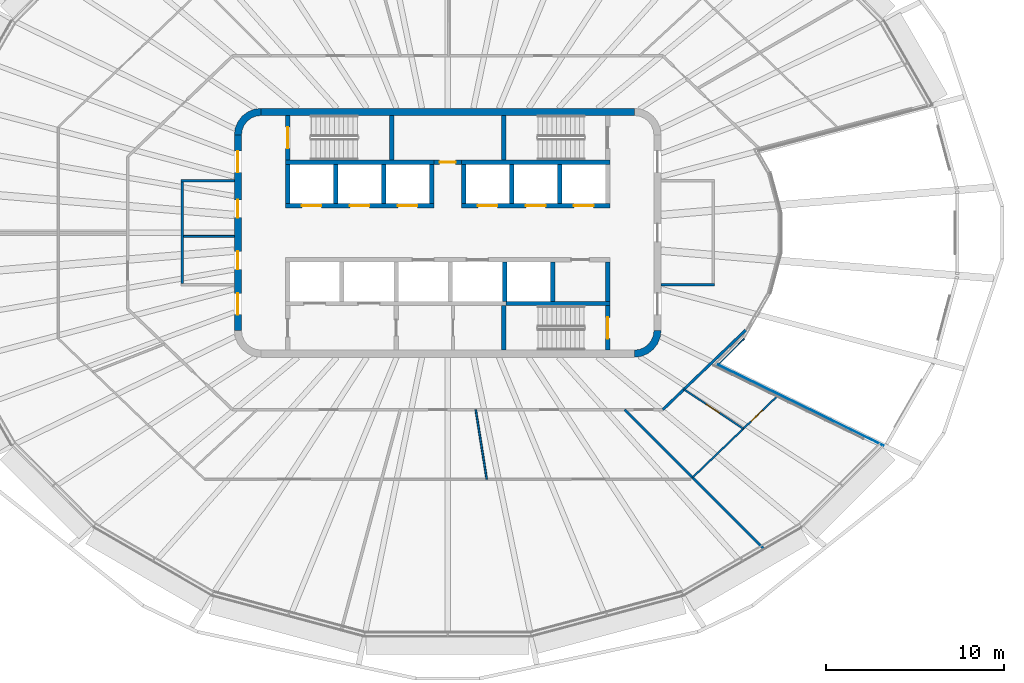
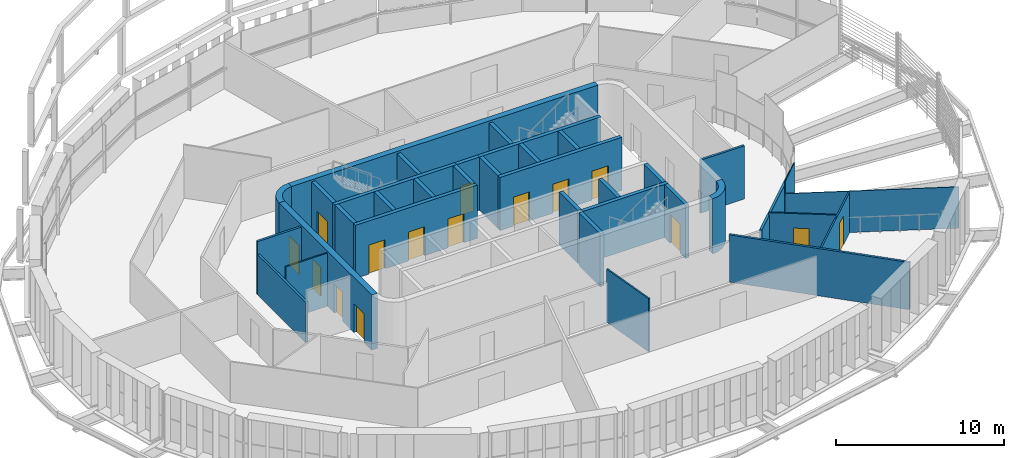
# One storey, part 10 of 19: 36 walls, 15 doors, 15 openings.
"""IFC4 building model written with IfcOpenShell, lengths in metres."""

from ifc_helpers import new_model, si_unit, direction, frame, frame_2d, origin, place, context, subcontext, project, spatial, polyline, rectangle, outline, extrude, material, layer, layer_set, type_object, element, fill, save


model = new_model("IFC4")

# Units and contexts
model_context = context("Model", 3, precision=1e-05, world=origin(), true_north=direction((0.0, 1.0)))
body_context = subcontext(model_context, "Body", "Model", "MODEL_VIEW")
ifc_project = project(units=[si_unit("LENGTHUNIT", "METRE"), si_unit("AREAUNIT", "SQUARE_METRE"), si_unit("VOLUMEUNIT", "CUBIC_METRE"), si_unit("PLANEANGLEUNIT", "RADIAN"), si_unit("MASSUNIT", "GRAM", prefix="KILO")], contexts=[model_context])

# Site, building, storey
site_placement = place(None, origin())
site = spatial("IfcSite", under=ifc_project, at=site_placement, CompositionType="ELEMENT")
building_placement = place(site_placement, origin())
building = spatial("IfcBuilding", under=site, at=building_placement, Name="Sahrelin Media Tower", CompositionType="ELEMENT")
storey_placement = place(building_placement, frame((0.0, 0.0, 287.0)))
storey = spatial("IfcBuildingStorey", under=building, at=storey_placement, Name="L63", CompositionType="ELEMENT", Elevation=287.0)

# Wall
ifc_material_1 = material(Name="Concrete C60/75", Category="concrete")
ifc_layer_1 = layer(ifc_material_1, 0.39990234375)
ifc_layer_set_1 = layer_set([ifc_layer_1], Name="Core wall 400")
wall_type_1 = type_object("IfcWallType", Name="Core wall 400", PredefinedType="SHEAR", material=ifc_layer_set_1)
wall_1_placement = place(storey_placement, frame((-10.5, 6.800048828125, 0.0), z_axis=(0.0, 0.0, 1.0), x_axis=(1.0, 0.0, 0.0)))
element("IfcWall", 1, at=wall_1_placement, inside=storey, type_object=wall_type_1, Name="Core wall N L63", PredefinedType="SHEAR", context=body_context, shape_type="SweptSolid", body=[
    extrude(rectangle(XDim=21.0, YDim=0.39990234375, at=frame_2d((10.5, 0.0))), origin(), (0.0, 0.0, 1.0), 4.0),
])

# Wall, openings, doors
wall_2_placement = place(storey_placement, frame((-11.800048828125, -5.5, 0.0), z_axis=(0.0, 0.0, 1.0), x_axis=(0.0, 1.0, 0.0)))
wall_2 = element("IfcWall", 2, at=wall_2_placement, inside=storey, type_object=wall_type_1, Name="Core wall W L63", PredefinedType="SHEAR", context=body_context, shape_type="SweptSolid", body=[
    extrude(rectangle(XDim=11.0, YDim=0.39990234375, at=frame_2d((5.5, 0.0))), origin(), (0.0, 0.0, 1.0), 4.0),
])
opening_1_placement = place(wall_2_placement, frame((3.449951171875, 0.0, 0.0)))
opening_1 = element("IfcOpeningElement", 3, at=opening_1_placement, cuts=wall_2, Name="Opening L63-D09", PredefinedType="OPENING", context=body_context, shape_type="SweptSolid", body=[
    extrude(rectangle(XDim=1.0, YDim=2.10009765625, at=frame_2d((0.5, 1.050048828125))), frame((0.0, 0.199951171875, 0.0), z_axis=(0.0, -1.0, 0.0), x_axis=(1.0, 0.0, 0.0)), (0.0, 0.0, 1.0), 0.39990234375),
])
opening_2_placement = place(wall_2_placement, frame((6.35009765625, 0.0, 0.0)))
opening_2 = element("IfcOpeningElement", 4, at=opening_2_placement, cuts=wall_2, Name="Opening L63-D10", PredefinedType="OPENING", context=body_context, shape_type="SweptSolid", body=[
    extrude(rectangle(XDim=1.0, YDim=2.10009765625, at=frame_2d((0.5, 1.050048828125))), frame((0.0, 0.199951171875, 0.0), z_axis=(0.0, -1.0, 0.0), x_axis=(1.0, 0.0, 0.0)), (0.0, 0.0, 1.0), 0.39990234375),
])
opening_3_placement = place(wall_2_placement, frame((0.89990234375, 0.0, 0.0)))
opening_3 = element("IfcOpeningElement", 5, at=opening_3_placement, cuts=wall_2, Name="Opening L63-D12", PredefinedType="OPENING", context=body_context, shape_type="SweptSolid", body=[
    extrude(rectangle(XDim=1.199951171875, YDim=2.10009765625, at=frame_2d((0.60009765625, 1.050048828125))), frame((0.0, 0.199951171875, 0.0), z_axis=(0.0, -1.0, 0.0), x_axis=(1.0, 0.0, 0.0)), (0.0, 0.0, 1.0), 0.39990234375),
])
opening_4_placement = place(wall_2_placement, frame((8.89990234375, 0.0, 0.0)))
opening_4 = element("IfcOpeningElement", 6, at=opening_4_placement, cuts=wall_2, Name="Opening L63-D13", PredefinedType="OPENING", context=body_context, shape_type="SweptSolid", body=[
    extrude(rectangle(XDim=1.199951171875, YDim=2.10009765625, at=frame_2d((0.60009765625, 1.050048828125))), frame((0.0, 0.199951171875, 0.0), z_axis=(0.0, -1.0, 0.0), x_axis=(1.0, 0.0, 0.0)), (0.0, 0.0, 1.0), 0.39990234375),
])
ifc_material_2 = material(Name="Steel fire door leaf", Category="steel")
door_type_1 = type_object("IfcDoorType", Name="Fire door 1000 x 2100 EI 60", OperationType="NOTDEFINED", PredefinedType="DOOR", material=ifc_material_2)
door_1_placement = place(opening_1_placement, origin())
door_1 = element("IfcDoor", 7, at=door_1_placement, inside=storey, type_object=door_type_1, Name="Core room door", OperationType="SINGLE_SWING_RIGHT", OverallHeight=2.10009765625, OverallWidth=1.0, PredefinedType="DOOR", context=body_context, shape_type="SweptSolid", body=[
    extrude(rectangle(XDim=1.0, YDim=2.10009765625, at=frame_2d((0.5, 1.050048828125))), frame((0.0, 0.02490234375, 0.0), z_axis=(0.0, -1.0, 0.0), x_axis=(1.0, 0.0, 0.0)), (0.0, 0.0, 1.0), 0.050048828125),
])
fill(opening_1, door_1)
door_2_placement = place(opening_2_placement, origin())
door_2 = element("IfcDoor", 8, at=door_2_placement, inside=storey, type_object=door_type_1, Name="Core room door", OperationType="SINGLE_SWING_RIGHT", OverallHeight=2.10009765625, OverallWidth=1.0, PredefinedType="DOOR", context=body_context, shape_type="SweptSolid", body=[
    extrude(rectangle(XDim=1.0, YDim=2.10009765625, at=frame_2d((0.5, 1.050048828125))), frame((0.0, 0.02490234375, 0.0), z_axis=(0.0, -1.0, 0.0), x_axis=(1.0, 0.0, 0.0)), (0.0, 0.0, 1.0), 0.050048828125),
])
fill(opening_2, door_2)
door_type_2 = type_object("IfcDoorType", Name="Lobby door 1200 x 2100 EI 60", OperationType="NOTDEFINED", PredefinedType="DOOR", material=ifc_material_2)
door_3_placement = place(opening_3_placement, origin())
door_3 = element("IfcDoor", 9, at=door_3_placement, inside=storey, type_object=door_type_2, Name="Lobby door", OperationType="SINGLE_SWING_LEFT", OverallHeight=2.10009765625, OverallWidth=1.199951171875, PredefinedType="DOOR", context=body_context, shape_type="SweptSolid", body=[
    extrude(rectangle(XDim=1.199951171875, YDim=2.10009765625, at=frame_2d((0.60009765625, 1.050048828125))), frame((0.0, 0.02490234375, 0.0), z_axis=(0.0, -1.0, 0.0), x_axis=(1.0, 0.0, 0.0)), (0.0, 0.0, 1.0), 0.050048828125),
])
fill(opening_3, door_3)
door_4_placement = place(opening_4_placement, origin())
door_4 = element("IfcDoor", 10, at=door_4_placement, inside=storey, type_object=door_type_2, Name="Lobby door", OperationType="SINGLE_SWING_LEFT", OverallHeight=2.10009765625, OverallWidth=1.199951171875, PredefinedType="DOOR", context=body_context, shape_type="SweptSolid", body=[
    extrude(rectangle(XDim=1.199951171875, YDim=2.10009765625, at=frame_2d((0.60009765625, 1.050048828125))), frame((0.0, 0.02490234375, 0.0), z_axis=(0.0, -1.0, 0.0), x_axis=(1.0, 0.0, 0.0)), (0.0, 0.0, 1.0), 0.050048828125),
])
fill(opening_4, door_4)

# Walls
placement = place(storey_placement, origin())
element("IfcWall", 11, at=placement, inside=storey, type_object=wall_type_1, Name="Core wall corner NW L63", PredefinedType="SHEAR", context=body_context, shape_type="SweptSolid", body=[
    extrude(outline(polyline([(-12.0, 5.5), (-11.596435546875, 5.5), (-11.55908203125, 5.78369140625), (-11.44970703125, 6.04833984375), (-11.275390625, 6.275390625), (-11.04833984375, 6.44970703125), (-10.78369140625, 6.55908203125), (-10.5, 6.596435546875), (-10.5, 7.0), (-10.88818359375, 6.948974609375), (-11.25, 6.799072265625), (-11.560791015625, 6.560791015625), (-11.799072265625, 6.25), (-11.948974609375, 5.88818359375), (-12.0, 5.5)])), origin(), (0.0, 0.0, 1.0), 4.0),
])
element("IfcWall", 12, at=placement, inside=storey, type_object=wall_type_1, Name="Core wall corner SE L63", PredefinedType="SHEAR", context=body_context, shape_type="SweptSolid", body=[
    extrude(outline(polyline([(12.0, -5.5), (11.596435546875, -5.5), (11.55908203125, -5.78369140625), (11.44970703125, -6.04833984375), (11.275390625, -6.275390625), (11.04833984375, -6.44970703125), (10.78369140625, -6.55908203125), (10.5, -6.596435546875), (10.5, -7.0), (10.88818359375, -6.948974609375), (11.25, -6.799072265625), (11.560791015625, -6.560791015625), (11.799072265625, -6.25), (11.948974609375, -5.88818359375), (12.0, -5.5)])), origin(), (0.0, 0.0, 1.0), 4.0),
])

# Wall, opening, door
ifc_material_3 = material(Name="Fire-rated gypsum board partition")
ifc_layer_2 = layer(ifc_material_3, 0.25)
ifc_layer_set_2 = layer_set([ifc_layer_2], Name="Fire-rated lobby wall 250")
wall_type_2 = type_object("IfcWallType", Name="Fire-rated lobby wall 250", PredefinedType="PARTITIONING", material=ifc_layer_set_2)
wall_5_placement = place(storey_placement, frame((-0.77490234375, 3.97509765625, 0.0), z_axis=(0.0, 0.0, 1.0), x_axis=(1.0, 0.0, 0.0)))
wall_5 = element("IfcWall", 13, at=wall_5_placement, inside=storey, type_object=wall_type_2, Name="Core lobby wall", PredefinedType="PARTITIONING", context=body_context, shape_type="SweptSolid", body=[
    extrude(rectangle(XDim=1.5498046875, YDim=0.25, at=frame_2d((0.77490234375, 0.0))), origin(), (0.0, 0.0, 1.0), 3.85009765625),
])
opening_5_placement = place(wall_5_placement, frame((0.324951171875, 0.0, 0.0)))
opening_5 = element("IfcOpeningElement", 14, at=opening_5_placement, cuts=wall_5, Name="Opening L63-D06", PredefinedType="OPENING", context=body_context, shape_type="SweptSolid", body=[
    extrude(rectangle(XDim=0.89990234375, YDim=2.10009765625, at=frame_2d((0.449951171875, 1.050048828125))), frame((0.0, 0.125, 0.0), z_axis=(0.0, -1.0, 0.0), x_axis=(1.0, 0.0, 0.0)), (0.0, 0.0, 1.0), 0.25),
])
door_type_3 = type_object("IfcDoorType", Name="Riser door 900 x 2100 EI 120", OperationType="NOTDEFINED", PredefinedType="DOOR", material=ifc_material_2)
door_5_placement = place(opening_5_placement, origin())
door_5 = element("IfcDoor", 15, at=door_5_placement, inside=storey, type_object=door_type_3, Name="Core room door", OperationType="SINGLE_SWING_LEFT", OverallHeight=2.10009765625, OverallWidth=0.89990234375, PredefinedType="DOOR", context=body_context, shape_type="SweptSolid", body=[
    extrude(rectangle(XDim=0.89990234375, YDim=2.10009765625, at=frame_2d((0.449951171875, 1.050048828125))), frame((0.0, 0.02490234375, 0.0), z_axis=(0.0, -1.0, 0.0), x_axis=(1.0, 0.0, 0.0)), (0.0, 0.0, 1.0), 0.050048828125),
])
fill(opening_5, door_5)

# Walls
ifc_layer_3 = layer(ifc_material_3, 0.10009765625)
ifc_layer_set_3 = layer_set([ifc_layer_3], Name="Fire-rated partition 100")
wall_type_3 = type_object("IfcWallType", Name="Fire-rated partition 100", PredefinedType="PARTITIONING", material=ifc_layer_set_3)
wall_6_placement = place(storey_placement, frame((-14.85009765625, -0.199951171875, 0.0), z_axis=(0.0, 0.0, 1.0), x_axis=(1.0, 0.0, 0.0)))
element("IfcWall", 16, at=wall_6_placement, inside=storey, type_object=wall_type_3, Name="Core room partition", PredefinedType="PARTITIONING", context=body_context, shape_type="SweptSolid", body=[
    extrude(rectangle(XDim=2.85009765625, YDim=0.10009765625, at=frame_2d((1.425048828125, 0.0))), origin(), (0.0, 0.0, 1.0), 3.85009765625),
])
ifc_layer_4 = layer(ifc_material_3, 0.14990234375)
ifc_layer_set_4 = layer_set([ifc_layer_4], Name="Fire-rated partition 150")
wall_type_4 = type_object("IfcWallType", Name="Fire-rated partition 150", PredefinedType="PARTITIONING", material=ifc_layer_set_4)
wall_7_placement = place(storey_placement, frame((-14.925048828125, -2.85009765625, 0.0), z_axis=(0.0, 0.0, 1.0), x_axis=(0.0, 1.0, 0.0)))
element("IfcWall", 17, at=wall_7_placement, inside=storey, type_object=wall_type_4, Name="Core room fire partition", PredefinedType="PARTITIONING", context=body_context, shape_type="SweptSolid", body=[
    extrude(rectangle(XDim=5.7001953125, YDim=0.14990234375, at=frame_2d((2.85009765625, 0.0))), origin(), (0.0, 0.0, 1.0), 2.918212890625),
])
for number, where, z_axis, x_axis, name in (
    (18, (-15.0, 2.925048828125, 0.0), (0.0, 0.0, 1.0), (1.0, 0.0, 0.0), "Core room fire partition"),
    (19, (12.0, -2.925048828125, 0.0), (0.0, 0.0, 1.0), (1.0, 0.0, 0.0), "Core room fire partition"),
):
    element("IfcWall", number, at=place(storey_placement, frame(where, z_axis=z_axis, x_axis=x_axis)), inside=storey, type_object=wall_type_4, Name=name, PredefinedType="PARTITIONING", context=body_context, shape_type="SweptSolid", body=[
        extrude(rectangle(XDim=3.0, YDim=0.14990234375, at=frame_2d((1.5, 0.0))), origin(), (0.0, 0.0, 1.0), 3.85009765625),
    ])
wall_8_placement = place(storey_placement, frame((9.948974609375, -9.948974609375, 0.0), z_axis=(0.0, 0.0, 1.0), x_axis=(0.707106781187, -0.707106781187, 0.0)))
element("IfcWall", 20, at=wall_8_placement, inside=storey, type_object=wall_type_4, Name="Wall", PredefinedType="PARTITIONING", context=body_context, shape_type="SweptSolid", body=[
    extrude(rectangle(XDim=11.091796875, YDim=0.14990234375, at=frame_2d((5.5458984375, 0.0))), origin(), (0.0, 0.0, 1.0), 3.423583984375),
])
wall_9_placement = place(storey_placement, frame((12.094970703125, -9.948974609375, 0.0), z_axis=(0.0, 0.0, 1.0), x_axis=(0.721275760212, 0.692648018644, 0.0)))
element("IfcWall", 21, at=wall_9_placement, inside=storey, type_object=wall_type_4, Name="Wall", PredefinedType="PARTITIONING", context=body_context, shape_type="SweptSolid", body=[
    extrude(rectangle(XDim=6.472900390625, YDim=0.14990234375, at=frame_2d((3.236328125, 0.0))), origin(), (0.0, 0.0, 1.0), 2.9951171875),
])
ifc_material_4 = material(Name="Clear glass", Category="glass")
ifc_layer_5 = layer(ifc_material_4, 0.050048828125)
ifc_layer_set_5 = layer_set([ifc_layer_5], Name="Glazed partition 50")
wall_type_5 = type_object("IfcWallType", Name="Glazed partition 50", PredefinedType="PARTITIONING", material=ifc_layer_set_5)
wall_10_placement = place(storey_placement, frame((15.20703125, -7.426025390625, 0.0), z_axis=(0.0, 0.0, 1.0), x_axis=(0.898599920473, -0.438768940247, 0.0)))
element("IfcWall", 22, at=wall_10_placement, inside=storey, type_object=wall_type_5, Name="Wall", PredefinedType="PARTITIONING", context=body_context, shape_type="SweptSolid", body=[
    extrude(rectangle(XDim=10.36279296875, YDim=0.050048828125, at=frame_2d((5.181396484375, 0.0))), origin(), (0.0, 0.0, 1.0), 2.9951171875),
])
wall_11_placement = place(storey_placement, frame((15.20703125, -7.426025390625, 0.0), z_axis=(0.0, 0.0, 1.0), x_axis=(0.707106781187, 0.707106781187, 0.0)))
element("IfcWall", 23, at=wall_11_placement, inside=storey, type_object=wall_type_5, Name="Wall", PredefinedType="PARTITIONING", context=body_context, shape_type="SweptSolid", body=[
    extrude(rectangle(XDim=2.078857421875, YDim=0.050048828125, at=frame_2d((1.03955078125, 0.0))), origin(), (0.0, 0.0, 1.0), 3.85009765625),
])

# Wall, openings, doors
ifc_layer_6 = layer(ifc_material_1, 0.25)
ifc_layer_set_6 = layer_set([ifc_layer_6], Name="Lift shaft wall 250")
wall_type_6 = type_object("IfcWallType", Name="Lift shaft wall 250", PredefinedType="SOLIDWALL", material=ifc_layer_set_6)
wall_12_placement = place(storey_placement, frame((-9.125, 1.52490234375, 0.0), z_axis=(0.0, 0.0, 1.0), x_axis=(1.0, 0.0, 0.0)))
wall_12 = element("IfcWall", 24, at=wall_12_placement, inside=storey, type_object=wall_type_6, Name="Lift shaft wall", PredefinedType="SOLIDWALL", context=body_context, shape_type="SweptSolid", body=[
    extrude(rectangle(XDim=8.35009765625, YDim=0.25, at=frame_2d((4.175048828125, 0.0))), origin(), (0.0, 0.0, 1.0), 3.85009765625),
])
opening_6_placement = place(wall_12_placement, frame((0.925048828125, 0.0, 0.0)))
opening_6 = element("IfcOpeningElement", 25, at=opening_6_placement, cuts=wall_12, Name="Opening L63-LD-HR1", PredefinedType="OPENING", context=body_context, shape_type="SweptSolid", body=[
    extrude(rectangle(XDim=1.10009765625, YDim=2.10009765625, at=frame_2d((0.550048828125, 1.050048828125))), frame((0.0, 0.125, 0.0), z_axis=(0.0, -1.0, 0.0), x_axis=(1.0, 0.0, 0.0)), (0.0, 0.0, 1.0), 0.25),
])
opening_7_placement = place(wall_12_placement, frame((3.625, 0.0, 0.0)))
opening_7 = element("IfcOpeningElement", 26, at=opening_7_placement, cuts=wall_12, Name="Opening L63-LD-HR2", PredefinedType="OPENING", context=body_context, shape_type="SweptSolid", body=[
    extrude(rectangle(XDim=1.10009765625, YDim=2.10009765625, at=frame_2d((0.550048828125, 1.050048828125))), frame((0.0, 0.125, 0.0), z_axis=(0.0, -1.0, 0.0), x_axis=(1.0, 0.0, 0.0)), (0.0, 0.0, 1.0), 0.25),
])
opening_8_placement = place(wall_12_placement, frame((6.324951171875, 0.0, 0.0)))
opening_8 = element("IfcOpeningElement", 27, at=opening_8_placement, cuts=wall_12, Name="Opening L63-LD-HR3", PredefinedType="OPENING", context=body_context, shape_type="SweptSolid", body=[
    extrude(rectangle(XDim=1.10009765625, YDim=2.10009765625, at=frame_2d((0.550048828125, 1.050048828125))), frame((0.0, 0.125, 0.0), z_axis=(0.0, -1.0, 0.0), x_axis=(1.0, 0.0, 0.0)), (0.0, 0.0, 1.0), 0.25),
])
ifc_material_5 = material(Name="Stainless steel", Category="steel")
door_type_4 = type_object("IfcDoorType", Name="Lift landing door 1100 x 2100 EI 120", OperationType="DOUBLE_DOOR_SLIDING", PredefinedType="DOOR", material=ifc_material_5)
door_6_placement = place(opening_6_placement, origin())
door_6 = element("IfcDoor", 28, at=door_6_placement, inside=storey, type_object=door_type_4, Name="Lift landing door HR1", OperationType="DOUBLE_DOOR_SLIDING", OverallHeight=2.10009765625, OverallWidth=1.10009765625, PredefinedType="DOOR", context=body_context, shape_type="SweptSolid", body=[
    extrude(rectangle(XDim=1.10009765625, YDim=2.10009765625, at=frame_2d((0.550048828125, 1.050048828125))), frame((0.0, 0.02490234375, 0.0), z_axis=(0.0, -1.0, 0.0), x_axis=(1.0, 0.0, 0.0)), (0.0, 0.0, 1.0), 0.050048828125),
])
fill(opening_6, door_6)
door_7_placement = place(opening_7_placement, origin())
door_7 = element("IfcDoor", 29, at=door_7_placement, inside=storey, type_object=door_type_4, Name="Lift landing door HR2", OperationType="DOUBLE_DOOR_SLIDING", OverallHeight=2.10009765625, OverallWidth=1.10009765625, PredefinedType="DOOR", context=body_context, shape_type="SweptSolid", body=[
    extrude(rectangle(XDim=1.10009765625, YDim=2.10009765625, at=frame_2d((0.550048828125, 1.050048828125))), frame((0.0, 0.02490234375, 0.0), z_axis=(0.0, -1.0, 0.0), x_axis=(1.0, 0.0, 0.0)), (0.0, 0.0, 1.0), 0.050048828125),
])
fill(opening_7, door_7)
door_8_placement = place(opening_8_placement, origin())
door_8 = element("IfcDoor", 30, at=door_8_placement, inside=storey, type_object=door_type_4, Name="Lift landing door HR3", OperationType="DOUBLE_DOOR_SLIDING", OverallHeight=2.10009765625, OverallWidth=1.10009765625, PredefinedType="DOOR", context=body_context, shape_type="SweptSolid", body=[
    extrude(rectangle(XDim=1.10009765625, YDim=2.10009765625, at=frame_2d((0.550048828125, 1.050048828125))), frame((0.0, 0.02490234375, 0.0), z_axis=(0.0, -1.0, 0.0), x_axis=(1.0, 0.0, 0.0)), (0.0, 0.0, 1.0), 0.050048828125),
])
fill(opening_8, door_8)

wall_13_placement = place(storey_placement, frame((0.77490234375, 1.52490234375, 0.0), z_axis=(0.0, 0.0, 1.0), x_axis=(1.0, 0.0, 0.0)))
wall_13 = element("IfcWall", 31, at=wall_13_placement, inside=storey, type_object=wall_type_6, Name="Lift shaft wall", PredefinedType="SOLIDWALL", context=body_context, shape_type="SweptSolid", body=[
    extrude(rectangle(XDim=8.35009765625, YDim=0.25, at=frame_2d((4.175048828125, 0.0))), origin(), (0.0, 0.0, 1.0), 3.85009765625),
])
opening_9_placement = place(wall_13_placement, frame((0.925048828125, 0.0, 0.0)))
opening_9 = element("IfcOpeningElement", 32, at=opening_9_placement, cuts=wall_13, Name="Opening L63-LD-HR4", PredefinedType="OPENING", context=body_context, shape_type="SweptSolid", body=[
    extrude(rectangle(XDim=1.10009765625, YDim=2.10009765625, at=frame_2d((0.550048828125, 1.050048828125))), frame((0.0, 0.125, 0.0), z_axis=(0.0, -1.0, 0.0), x_axis=(1.0, 0.0, 0.0)), (0.0, 0.0, 1.0), 0.25),
])
opening_10_placement = place(wall_13_placement, frame((3.625, 0.0, 0.0)))
opening_10 = element("IfcOpeningElement", 33, at=opening_10_placement, cuts=wall_13, Name="Opening L63-LD-HR5", PredefinedType="OPENING", context=body_context, shape_type="SweptSolid", body=[
    extrude(rectangle(XDim=1.10009765625, YDim=2.10009765625, at=frame_2d((0.550048828125, 1.050048828125))), frame((0.0, 0.125, 0.0), z_axis=(0.0, -1.0, 0.0), x_axis=(1.0, 0.0, 0.0)), (0.0, 0.0, 1.0), 0.25),
])
opening_11_placement = place(wall_13_placement, frame((6.324951171875, 0.0, 0.0)))
opening_11 = element("IfcOpeningElement", 34, at=opening_11_placement, cuts=wall_13, Name="Opening L63-LD-HR6", PredefinedType="OPENING", context=body_context, shape_type="SweptSolid", body=[
    extrude(rectangle(XDim=1.10009765625, YDim=2.10009765625, at=frame_2d((0.550048828125, 1.050048828125))), frame((0.0, 0.125, 0.0), z_axis=(0.0, -1.0, 0.0), x_axis=(1.0, 0.0, 0.0)), (0.0, 0.0, 1.0), 0.25),
])
door_9_placement = place(opening_9_placement, origin())
door_9 = element("IfcDoor", 35, at=door_9_placement, inside=storey, type_object=door_type_4, Name="Lift landing door HR4", OperationType="DOUBLE_DOOR_SLIDING", OverallHeight=2.10009765625, OverallWidth=1.10009765625, PredefinedType="DOOR", context=body_context, shape_type="SweptSolid", body=[
    extrude(rectangle(XDim=1.10009765625, YDim=2.10009765625, at=frame_2d((0.550048828125, 1.050048828125))), frame((0.0, 0.02490234375, 0.0), z_axis=(0.0, -1.0, 0.0), x_axis=(1.0, 0.0, 0.0)), (0.0, 0.0, 1.0), 0.050048828125),
])
fill(opening_9, door_9)
door_10_placement = place(opening_10_placement, origin())
door_10 = element("IfcDoor", 36, at=door_10_placement, inside=storey, type_object=door_type_4, Name="Lift landing door HR5", OperationType="DOUBLE_DOOR_SLIDING", OverallHeight=2.10009765625, OverallWidth=1.10009765625, PredefinedType="DOOR", context=body_context, shape_type="SweptSolid", body=[
    extrude(rectangle(XDim=1.10009765625, YDim=2.10009765625, at=frame_2d((0.550048828125, 1.050048828125))), frame((0.0, 0.02490234375, 0.0), z_axis=(0.0, -1.0, 0.0), x_axis=(1.0, 0.0, 0.0)), (0.0, 0.0, 1.0), 0.050048828125),
])
fill(opening_10, door_10)
door_11_placement = place(opening_11_placement, origin())
door_11 = element("IfcDoor", 37, at=door_11_placement, inside=storey, type_object=door_type_4, Name="Lift landing door HR6", OperationType="DOUBLE_DOOR_SLIDING", OverallHeight=2.10009765625, OverallWidth=1.10009765625, PredefinedType="DOOR", context=body_context, shape_type="SweptSolid", body=[
    extrude(rectangle(XDim=1.10009765625, YDim=2.10009765625, at=frame_2d((0.550048828125, 1.050048828125))), frame((0.0, 0.02490234375, 0.0), z_axis=(0.0, -1.0, 0.0), x_axis=(1.0, 0.0, 0.0)), (0.0, 0.0, 1.0), 0.050048828125),
])
fill(opening_11, door_11)

# Walls
for number, where, z_axis, x_axis, name in (
    (38, (-9.125, 3.97509765625, 0.0), (0.0, 0.0, 1.0), (1.0, 0.0, 0.0), "Lift shaft wall"),
    (39, (0.77490234375, 3.97509765625, 0.0), (0.0, 0.0, 1.0), (1.0, 0.0, 0.0), "Lift shaft wall"),
):
    element("IfcWall", number, at=place(storey_placement, frame(where, z_axis=z_axis, x_axis=x_axis)), inside=storey, type_object=wall_type_6, Name=name, PredefinedType="SOLIDWALL", context=body_context, shape_type="SweptSolid", body=[
        extrude(rectangle(XDim=8.35009765625, YDim=0.25, at=frame_2d((4.175048828125, 0.0))), origin(), (0.0, 0.0, 1.0), 3.85009765625),
    ])
for number, where, z_axis, x_axis, name in (
    (40, (-9.0, 1.64990234375, 0.0), (0.0, 0.0, 1.0), (0.0, 1.0, 0.0), "Lift shaft wall"),
    (41, (-6.300048828125, 1.64990234375, 0.0), (0.0, 0.0, 1.0), (0.0, 1.0, 0.0), "Lift shaft wall"),
    (42, (6.300048828125, 1.64990234375, 0.0), (0.0, 0.0, 1.0), (0.0, 1.0, 0.0), "Lift shaft wall"),
    (43, (-3.60009765625, 1.64990234375, 0.0), (0.0, 0.0, 1.0), (0.0, 1.0, 0.0), "Lift shaft wall"),
    (44, (3.60009765625, 1.64990234375, 0.0), (0.0, 0.0, 1.0), (0.0, 1.0, 0.0), "Lift shaft wall"),
    (45, (-0.89990234375, 1.64990234375, 0.0), (0.0, 0.0, 1.0), (0.0, 1.0, 0.0), "Lift shaft wall"),
    (46, (0.89990234375, 1.64990234375, 0.0), (0.0, 0.0, 1.0), (0.0, 1.0, 0.0), "Lift shaft wall"),
):
    element("IfcWall", number, at=place(storey_placement, frame(where, z_axis=z_axis, x_axis=x_axis)), inside=storey, type_object=wall_type_6, Name=name, PredefinedType="SOLIDWALL", context=body_context, shape_type="SweptSolid", body=[
        extrude(rectangle(XDim=2.2001953125, YDim=0.25, at=frame_2d((1.10009765625, 0.0))), origin(), (0.0, 0.0, 1.0), 3.85009765625),
    ])
wall_14_placement = place(storey_placement, frame((3.27490234375, -3.97509765625, 0.0), z_axis=(0.0, 0.0, 1.0), x_axis=(1.0, 0.0, 0.0)))
element("IfcWall", 47, at=wall_14_placement, inside=storey, type_object=wall_type_6, Name="Lift shaft wall", PredefinedType="SOLIDWALL", context=body_context, shape_type="SweptSolid", body=[
    extrude(rectangle(XDim=5.85009765625, YDim=0.25, at=frame_2d((2.925048828125, 0.0))), origin(), (0.0, 0.0, 1.0), 3.85009765625),
])
for number, where, z_axis, x_axis, name in (
    (48, (3.199951171875, -3.85009765625, 0.0), (0.0, 0.0, 1.0), (0.0, 1.0, 0.0), "Lift shaft wall"),
    (49, (5.89990234375, -3.85009765625, 0.0), (0.0, 0.0, 1.0), (0.0, 1.0, 0.0), "Lift shaft wall"),
    (50, (9.0, -3.85009765625, 0.0), (0.0, 0.0, 1.0), (0.0, 1.0, 0.0), "Lift shaft wall"),
):
    element("IfcWall", number, at=place(storey_placement, frame(where, z_axis=z_axis, x_axis=x_axis)), inside=storey, type_object=wall_type_6, Name=name, PredefinedType="SOLIDWALL", context=body_context, shape_type="SweptSolid", body=[
        extrude(rectangle(XDim=2.2001953125, YDim=0.25, at=frame_2d((1.10009765625, 0.0))), origin(), (0.0, 0.0, 1.0), 3.85009765625),
    ])
ifc_material_6 = material(Name="Gypsum board partition")
ifc_layer_7 = layer(ifc_material_6, 0.10009765625)
ifc_layer_set_7 = layer_set([ifc_layer_7], Name="Partition 100")
wall_type_7 = type_object("IfcWallType", Name="Partition 100", PredefinedType="PARTITIONING", material=ifc_layer_set_7)
wall_15_placement = place(storey_placement, frame((1.575927734375, -9.948974609375, 0.0), z_axis=(0.0, 0.0, 1.0), x_axis=(0.156402769976, -0.987693360079, 0.0)))
element("IfcWall", 51, at=wall_15_placement, inside=storey, type_object=wall_type_7, Name="Wall", PredefinedType="PARTITIONING", context=body_context, shape_type="SweptSolid", body=[
    extrude(rectangle(XDim=3.958740234375, YDim=0.10009765625, at=frame_2d((1.9794921875, 0.0))), origin(), (0.0, 0.0, 1.0), 3.85009765625),
])

# Wall, opening, door
wall_16_placement = place(storey_placement, frame((13.285888671875, -8.804931640625, 0.0), z_axis=(0.0, 0.0, 1.0), x_axis=(0.833425824466, -0.552631337434, 0.0)))
wall_16 = element("IfcWall", 52, at=wall_16_placement, inside=storey, type_object=wall_type_7, Name="Wall", PredefinedType="PARTITIONING", context=body_context, shape_type="SweptSolid", body=[
    extrude(rectangle(XDim=4.006591796875, YDim=0.10009765625, at=frame_2d((2.00341796875, 0.0))), origin(), (0.0, 0.0, 1.0), 3.152099609375),
])
opening_12_placement = place(wall_16_placement, frame((1.5029296875, 0.0, 0.0)))
opening_12 = element("IfcOpeningElement", 53, at=opening_12_placement, cuts=wall_16, Name="Opening L63-D19", PredefinedType="OPENING", context=body_context, shape_type="SweptSolid", body=[
    extrude(rectangle(XDim=0.89990234375, YDim=2.10009765625, at=frame_2d((0.449951171875, 1.050048828125))), frame((0.0, 0.050048828125, 0.0), z_axis=(0.0, -1.0, 0.0), x_axis=(1.0, 0.0, 0.0)), (0.0, 0.0, 1.0), 0.10009765625),
])
ifc_material_7 = material(Name="Timber door leaf", Category="wood")
door_type_5 = type_object("IfcDoorType", Name="Single door 900 x 2100", OperationType="NOTDEFINED", PredefinedType="DOOR", material=ifc_material_7)
door_12_placement = place(opening_12_placement, origin())
door_12 = element("IfcDoor", 54, at=door_12_placement, inside=storey, type_object=door_type_5, Name="Single door", OperationType="SINGLE_SWING_LEFT", OverallHeight=2.10009765625, OverallWidth=0.89990234375, PredefinedType="DOOR", context=body_context, shape_type="SweptSolid", body=[
    extrude(rectangle(XDim=0.89990234375, YDim=2.10009765625, at=frame_2d((0.449951171875, 1.050048828125))), frame((0.0, 0.02490234375, 0.0), z_axis=(0.0, -1.0, 0.0), x_axis=(1.0, 0.0, 0.0)), (0.0, 0.0, 1.0), 0.050048828125),
])
fill(opening_12, door_12)

wall_17_placement = place(storey_placement, frame((13.764892578125, -13.764892578125, 0.0), z_axis=(0.0, 0.0, 1.0), x_axis=(0.721426398833, 0.692491119847, 0.0)))
wall_17 = element("IfcWall", 55, at=wall_17_placement, inside=storey, type_object=wall_type_7, Name="Wall", PredefinedType="PARTITIONING", context=body_context, shape_type="SweptSolid", body=[
    extrude(rectangle(XDim=6.741455078125, YDim=0.10009765625, at=frame_2d((3.37060546875, 0.0))), origin(), (0.0, 0.0, 1.0), 2.927001953125),
])
opening_13_placement = place(wall_17_placement, frame((4.5634765625, 0.0, 0.0)))
opening_13 = element("IfcOpeningElement", 56, at=opening_13_placement, cuts=wall_17, Name="Opening L63-D20", PredefinedType="OPENING", context=body_context, shape_type="SweptSolid", body=[
    extrude(rectangle(XDim=0.89990234375, YDim=2.10009765625, at=frame_2d((0.449951171875, 1.050048828125))), frame((0.0, 0.050048828125, 0.0), z_axis=(0.0, -1.0, 0.0), x_axis=(1.0, 0.0, 0.0)), (0.0, 0.0, 1.0), 0.10009765625),
])
door_13_placement = place(opening_13_placement, origin())
door_13 = element("IfcDoor", 57, at=door_13_placement, inside=storey, type_object=door_type_5, Name="Single door", OperationType="SINGLE_SWING_LEFT", OverallHeight=2.10009765625, OverallWidth=0.89990234375, PredefinedType="DOOR", context=body_context, shape_type="SweptSolid", body=[
    extrude(rectangle(XDim=0.89990234375, YDim=2.10009765625, at=frame_2d((0.449951171875, 1.050048828125))), frame((0.0, 0.02490234375, 0.0), z_axis=(0.0, -1.0, 0.0), x_axis=(1.0, 0.0, 0.0)), (0.0, 0.0, 1.0), 0.050048828125),
])
fill(opening_13, door_13)

ifc_layer_8 = layer(ifc_material_1, 0.25)
ifc_layer_set_8 = layer_set([ifc_layer_8], Name="Stair enclosure wall 250")
wall_type_8 = type_object("IfcWallType", Name="Stair enclosure wall 250", PredefinedType="SOLIDWALL", material=ifc_layer_set_8)
wall_18_placement = place(storey_placement, frame((-9.0, 4.10009765625, 0.0), z_axis=(0.0, 0.0, 1.0), x_axis=(0.0, 1.0, 0.0)))
wall_18 = element("IfcWall", 58, at=wall_18_placement, inside=storey, type_object=wall_type_8, Name="Stair enclosure wall", PredefinedType="SOLIDWALL", context=body_context, shape_type="SweptSolid", body=[
    extrude(rectangle(XDim=2.5, YDim=0.25, at=frame_2d((1.25, 0.0))), origin(), (0.0, 0.0, 1.0), 3.85009765625),
])
opening_14_placement = place(wall_18_placement, frame((0.64990234375, 0.0, 0.0)))
opening_14 = element("IfcOpeningElement", 59, at=opening_14_placement, cuts=wall_18, Name="Opening L63-D01", PredefinedType="OPENING", context=body_context, shape_type="SweptSolid", body=[
    extrude(rectangle(XDim=1.199951171875, YDim=2.10009765625, at=frame_2d((0.60009765625, 1.050048828125))), frame((0.0, 0.125, 0.0), z_axis=(0.0, -1.0, 0.0), x_axis=(1.0, 0.0, 0.0)), (0.0, 0.0, 1.0), 0.25),
])
door_type_6 = type_object("IfcDoorType", Name="Stair door 1200 x 2100 EI 120", OperationType="NOTDEFINED", PredefinedType="DOOR", material=ifc_material_2)
door_14_placement = place(opening_14_placement, origin())
door_14 = element("IfcDoor", 60, at=door_14_placement, inside=storey, type_object=door_type_6, Name="Stair door ST1", OperationType="SINGLE_SWING_RIGHT", OverallHeight=2.10009765625, OverallWidth=1.199951171875, PredefinedType="DOOR", context=body_context, shape_type="SweptSolid", body=[
    extrude(rectangle(XDim=1.199951171875, YDim=2.10009765625, at=frame_2d((0.60009765625, 1.050048828125))), frame((0.0, 0.02490234375, 0.0), z_axis=(0.0, -1.0, 0.0), x_axis=(1.0, 0.0, 0.0)), (0.0, 0.0, 1.0), 0.050048828125),
])
fill(opening_14, door_14)

wall_19_placement = place(storey_placement, frame((9.0, -6.60009765625, 0.0), z_axis=(0.0, 0.0, 1.0), x_axis=(0.0, 1.0, 0.0)))
wall_19 = element("IfcWall", 61, at=wall_19_placement, inside=storey, type_object=wall_type_8, Name="Stair enclosure wall", PredefinedType="SOLIDWALL", context=body_context, shape_type="SweptSolid", body=[
    extrude(rectangle(XDim=2.5, YDim=0.25, at=frame_2d((1.25, 0.0))), origin(), (0.0, 0.0, 1.0), 3.85009765625),
])
opening_15_placement = place(wall_19_placement, frame((0.64990234375, 0.0, 0.0)))
opening_15 = element("IfcOpeningElement", 62, at=opening_15_placement, cuts=wall_19, Name="Opening L63-D03", PredefinedType="OPENING", context=body_context, shape_type="SweptSolid", body=[
    extrude(rectangle(XDim=1.199951171875, YDim=2.10009765625, at=frame_2d((0.60009765625, 1.050048828125))), frame((0.0, 0.125, 0.0), z_axis=(0.0, -1.0, 0.0), x_axis=(1.0, 0.0, 0.0)), (0.0, 0.0, 1.0), 0.25),
])
door_15_placement = place(opening_15_placement, origin())
door_15 = element("IfcDoor", 63, at=door_15_placement, inside=storey, type_object=door_type_6, Name="Stair door ST2", OperationType="SINGLE_SWING_LEFT", OverallHeight=2.10009765625, OverallWidth=1.199951171875, PredefinedType="DOOR", context=body_context, shape_type="SweptSolid", body=[
    extrude(rectangle(XDim=1.199951171875, YDim=2.10009765625, at=frame_2d((0.60009765625, 1.050048828125))), frame((0.0, 0.02490234375, 0.0), z_axis=(0.0, -1.0, 0.0), x_axis=(1.0, 0.0, 0.0)), (0.0, 0.0, 1.0), 0.050048828125),
])
fill(opening_15, door_15)

# Walls
for number, where, z_axis, x_axis, name in (
    (64, (-3.14990234375, 4.10009765625, 0.0), (0.0, 0.0, 1.0), (0.0, 1.0, 0.0), "Stair enclosure wall"),
    (65, (3.14990234375, 4.10009765625, 0.0), (0.0, 0.0, 1.0), (0.0, 1.0, 0.0), "Stair enclosure wall"),
    (66, (3.14990234375, -6.60009765625, 0.0), (0.0, 0.0, 1.0), (0.0, 1.0, 0.0), "Stair enclosure wall"),
):
    element("IfcWall", number, at=place(storey_placement, frame(where, z_axis=z_axis, x_axis=x_axis)), inside=storey, type_object=wall_type_8, Name=name, PredefinedType="SOLIDWALL", context=body_context, shape_type="SweptSolid", body=[
        extrude(rectangle(XDim=2.5, YDim=0.25, at=frame_2d((1.25, 0.0))), origin(), (0.0, 0.0, 1.0), 3.85009765625),
    ])

save(model, "model.ifc")
